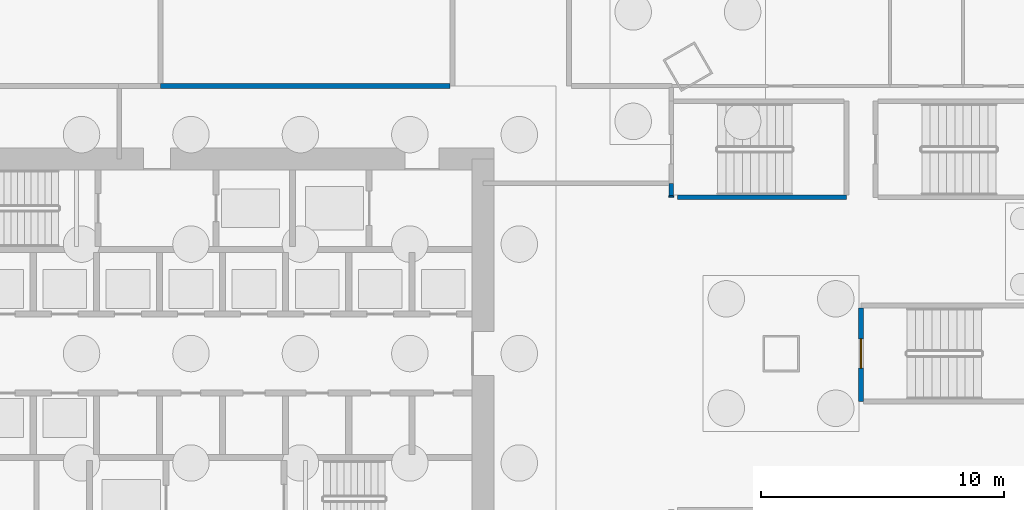
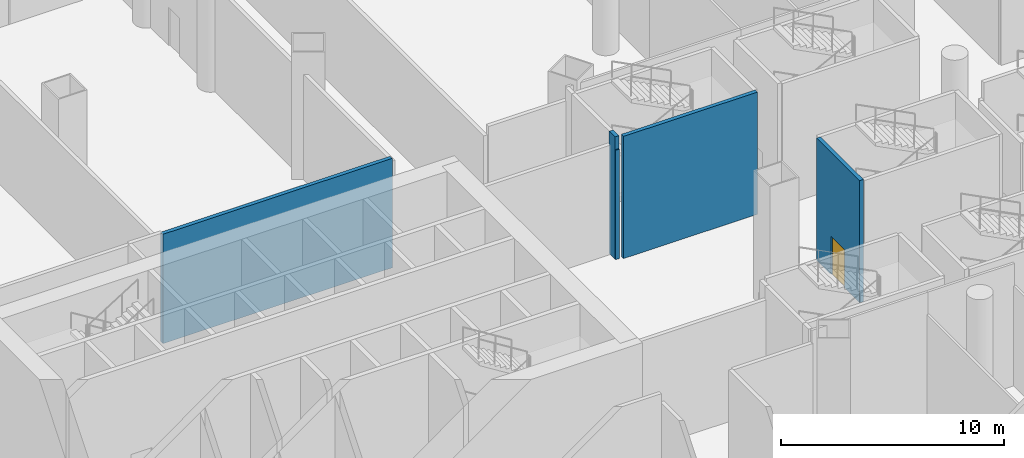
# One storey, part 28 of 41: 5 walls, 1 door, 1 opening.
"""IFC4 building model written with IfcOpenShell, lengths in metres."""

from ifc_helpers import new_model, si_unit, direction, frame, frame_2d, origin, place, context, subcontext, project, spatial, rectangle, extrude, material, layer, layer_set, type_object, element, fill, save


model = new_model("IFC4")

# Units and contexts
model_context = context("Model", 3, precision=1e-05, world=origin(), true_north=direction((0.0, 1.0)))
body_context = subcontext(model_context, "Body", "Model", "MODEL_VIEW")
ifc_project = project(units=[si_unit("LENGTHUNIT", "METRE"), si_unit("AREAUNIT", "SQUARE_METRE"), si_unit("VOLUMEUNIT", "CUBIC_METRE"), si_unit("PLANEANGLEUNIT", "RADIAN"), si_unit("MASSUNIT", "GRAM", prefix="KILO")], contexts=[model_context])

# Site, building, storey
site_placement = place(None, origin())
site = spatial("IfcSite", under=ifc_project, at=site_placement, CompositionType="ELEMENT")
building_placement = place(site_placement, origin())
building = spatial("IfcBuilding", under=site, at=building_placement, Name="Rimbun Link Towers", CompositionType="ELEMENT")
storey_placement = place(building_placement, origin())
storey = spatial("IfcBuildingStorey", under=building, at=storey_placement, Name="L00", CompositionType="ELEMENT", Elevation=0.0)

# Walls
ifc_material_1 = material(Name="Concrete blockwork", Category="masonry")
ifc_layer_1 = layer(ifc_material_1, 0.199951171875)
ifc_layer_set_1 = layer_set([ifc_layer_1], Name="Fire partition 200 blockwork")
wall_type_1 = type_object("IfcWallType", Name="Fire partition 200 blockwork", PredefinedType="PARTITIONING", material=ifc_layer_set_1)
wall_1_placement = place(storey_placement, frame((-21.10009765625, 11.0, 0.0), z_axis=(0.0, 0.0, 1.0), x_axis=(-1.0, 0.0, 0.0)))
element("IfcWall", 1, at=wall_1_placement, inside=storey, type_object=wall_type_1, Name="PD/PW/L00/042", PredefinedType="PARTITIONING", context=body_context, shape_type="SweptSolid", body=[
    extrude(rectangle(XDim=11.89990234375, YDim=0.199951171875, at=frame_2d((5.949951171875, 0.0))), origin(), (0.0, 0.0, 1.0), 5.99609375),
])
ifc_material_2 = material(Name="Concrete C40/50", Category="concrete")
ifc_layer_2 = layer(ifc_material_2, 0.199951171875)
ifc_layer_set_2 = layer_set([ifc_layer_2], Name="Stair shaft wall 200")
wall_type_2 = type_object("IfcWallType", Name="Stair shaft wall 200", PredefinedType="SOLIDWALL", material=ifc_layer_set_2)
wall_2_placement = place(storey_placement, frame((-12.0, 7.0, 0.0), z_axis=(0.0, 0.0, 1.0), x_axis=(0.0, -1.0, 0.0)))
element("IfcWall", 2, at=wall_2_placement, inside=storey, type_object=wall_type_2, Name="PD/PW/L00/011", PredefinedType="SOLIDWALL", context=body_context, shape_type="SweptSolid", body=[
    extrude(rectangle(XDim=0.519775390625, YDim=0.199951171875, at=frame_2d((0.259765625, 0.0))), origin(), (0.0, 0.0, 1.0), 6.699951171875),
])
wall_3_placement = place(storey_placement, frame((-12.0, 6.480224609375, 0.0), z_axis=(0.0, 0.0, 1.0), x_axis=(0.0, -1.0, 0.0)))
element("IfcWall", 3, at=wall_3_placement, inside=storey, type_object=wall_type_2, Name="PD/PW/L00/011b", PredefinedType="SOLIDWALL", context=body_context, shape_type="SweptSolid", body=[
    extrude(rectangle(XDim=0.05517578125, YDim=0.199951171875, at=frame_2d((0.027587890625, 0.0))), origin(), (0.0, 0.0, 1.0), 5.99609375),
])
wall_4_placement = place(storey_placement, frame((-11.75, 6.425048828125, 0.0), z_axis=(0.0, 0.0, 1.0), x_axis=(1.0, 0.0, 0.0)))
element("IfcWall", 4, at=wall_4_placement, inside=storey, type_object=wall_type_2, Name="PD/PW/L00/012", PredefinedType="SOLIDWALL", context=body_context, shape_type="SweptSolid", body=[
    extrude(rectangle(XDim=6.949951171875, YDim=0.199951171875, at=frame_2d((3.47509765625, 0.0))), origin(), (0.0, 0.0, 1.0), 6.699951171875),
])

# Wall, opening, door
wall_5_placement = place(storey_placement, frame((-4.199951171875, 1.875, 0.0), z_axis=(0.0, 0.0, 1.0), x_axis=(0.0, -1.0, 0.0)))
wall_5 = element("IfcWall", 5, at=wall_5_placement, inside=storey, type_object=wall_type_2, Name="PD/PW/L00/025", PredefinedType="SOLIDWALL", context=body_context, shape_type="SweptSolid", body=[
    extrude(rectangle(XDim=3.85009765625, YDim=0.199951171875, at=frame_2d((1.925048828125, 0.0))), origin(), (0.0, 0.0, 1.0), 6.699951171875),
])
opening_placement = place(wall_5_placement, frame((1.27490234375, 0.0, 0.0)))
opening = element("IfcOpeningElement", 6, at=opening_placement, cuts=wall_5, Name="Opening PD DS6", PredefinedType="OPENING", context=body_context, shape_type="SweptSolid", body=[
    extrude(rectangle(XDim=1.199951171875, YDim=2.10009765625, at=frame_2d((0.60009765625, 1.050048828125))), frame((0.0, 0.10986328125, 0.0), z_axis=(0.0, -1.0, 0.0), x_axis=(1.0, 0.0, 0.0)), (0.0, 0.0, 1.0), 0.219970703125),
])
ifc_material_3 = material(Name="Steel fire door set", Category="steel")
door_type = type_object("IfcDoorType", Name="Stair door", OperationType="SINGLE_SWING_LEFT", PredefinedType="DOOR", material=ifc_material_3)
door_placement = place(opening_placement, frame((1.199951171875, 0.0, 0.0), z_axis=(0.0, 0.0, 1.0), x_axis=(-1.0, 0.0, 0.0)))
door = element("IfcDoor", 7, at=door_placement, inside=storey, type_object=door_type, Name="PD/DR/L00/S6", OperationType="SINGLE_SWING_LEFT", OverallHeight=2.10009765625, OverallWidth=1.199951171875, PredefinedType="DOOR", context=body_context, shape_type="SweptSolid", body=[
    extrude(rectangle(XDim=1.199951171875, YDim=2.10009765625, at=frame_2d((0.60009765625, 1.050048828125))), frame((0.0, 0.02490234375, 0.0), z_axis=(0.0, -1.0, 0.0), x_axis=(1.0, 0.0, 0.0)), (0.0, 0.0, 1.0), 0.050048828125),
])
fill(opening, door)

save(model, "model.ifc")
